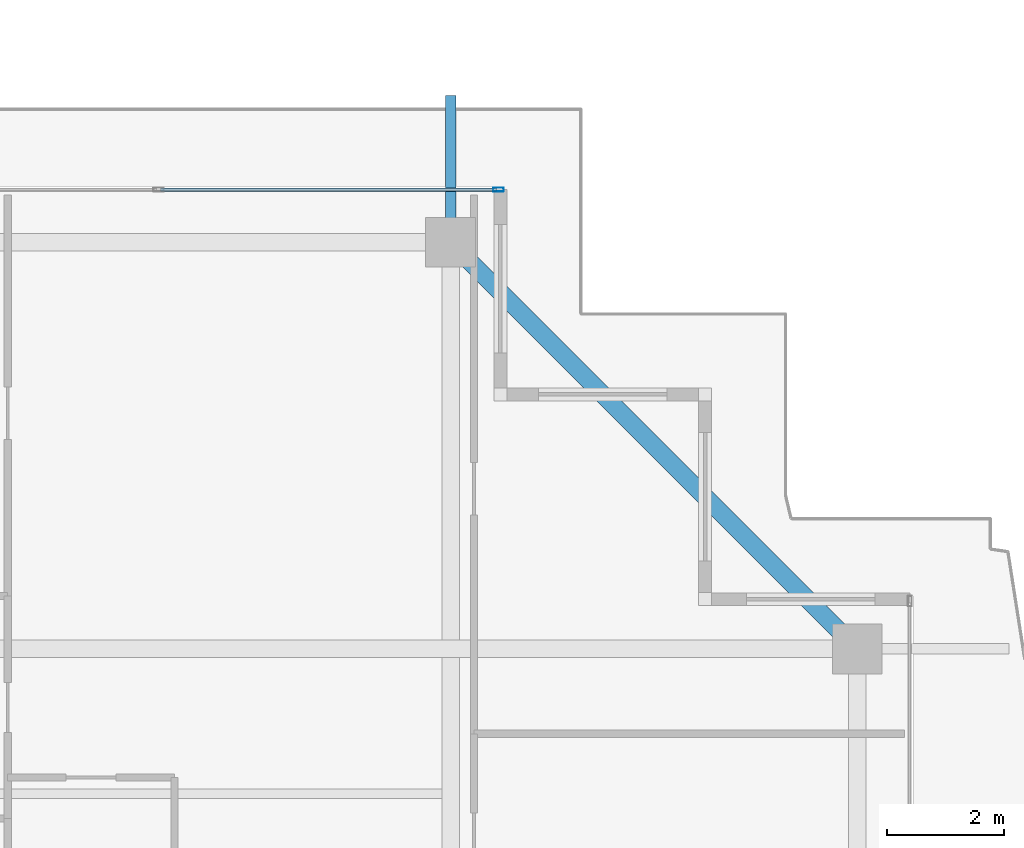
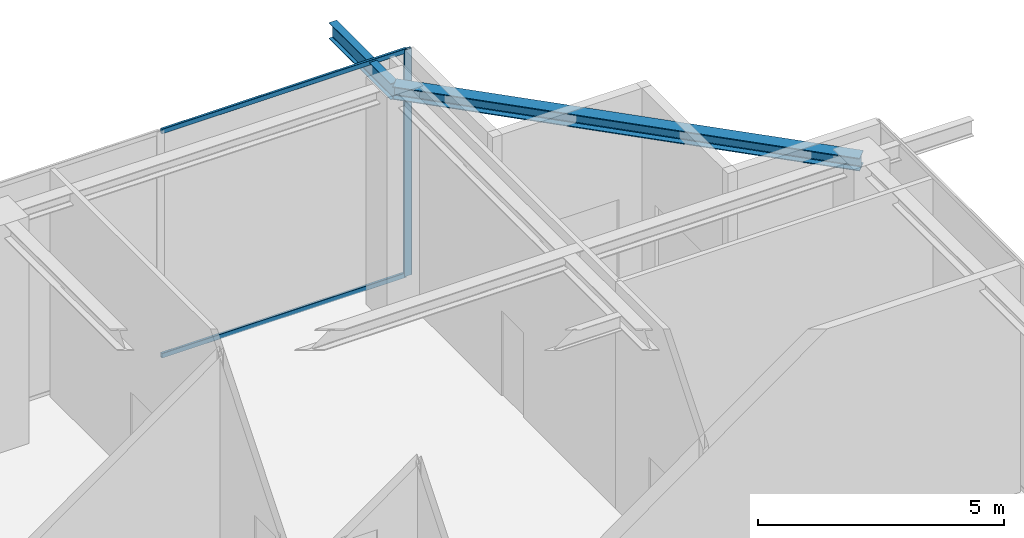
# One storey, part 25 of 38: 3 members, 2 beams, 1 element without a shape of its own.
"""IFC4 building model written with IfcOpenShell, lengths in metres."""

from ifc_helpers import new_model, si_unit, direction, frame, origin, origin_2d, place, context, subcontext, project, spatial, hollow_rectangle, i_section, extrude, source, transform, mapped, material, layer, layer_set, material_profile, profile_set, type_object, element, aggregate, save


model = new_model("IFC4")

# Units and contexts
model_context = context("Model", 3, precision=1e-05, world=origin(), true_north=direction((0.0, 1.0)))
body_context = subcontext(model_context, "Body", "Model", "MODEL_VIEW")
ifc_project = project(units=[si_unit("LENGTHUNIT", "METRE"), si_unit("AREAUNIT", "SQUARE_METRE"), si_unit("VOLUMEUNIT", "CUBIC_METRE"), si_unit("PLANEANGLEUNIT", "RADIAN"), si_unit("MASSUNIT", "GRAM", prefix="KILO")], contexts=[model_context])

# Site, building, storey
site_placement = place(None, origin())
site = spatial("IfcSite", under=ifc_project, at=site_placement, CompositionType="ELEMENT")
building_placement = place(site_placement, origin())
building = spatial("IfcBuilding", under=site, at=building_placement, Name="Serunith Strait Residences", CompositionType="ELEMENT")
storey_placement = place(building_placement, frame((0.0, 0.0, 342.050048828125)))
storey = spatial("IfcBuildingStorey", under=building, at=storey_placement, Name="L85", CompositionType="ELEMENT", Elevation=342.050048828125)

# Beams
ifc_material_1 = material(Name="Steel S355J2", Category="steel")
ifc_material_profile_1 = material_profile(ifc_material_1, i_section(OverallWidth=0.300048828125, OverallDepth=0.320068359375, WebThickness=0.011474609375, FlangeThickness=0.0205078125, FilletRadius=0.027099609375, at=origin_2d()), Name="HEB 320")
ifc_profile_set_1 = profile_set([ifc_material_profile_1], Name="Steel S355J2")
beam_type_1 = type_object("IfcBeamType", Name="BM-HEB320", PredefinedType="BEAM", material=ifc_profile_set_1)
shared_shape_1 = source(origin(), body_context, "Body", "SweptSolid", [
    extrude(i_section(OverallWidth=0.300048828125, OverallDepth=0.320068359375, WebThickness=0.011474609375, FlangeThickness=0.0205078125, FilletRadius=0.027099609375, at=origin_2d()), origin(), (0.0, 0.0, 1.0), 9.828857421875),
])
beam_1_placement = place(storey_placement, frame((53.10009765625, 38.550048828125, 5.447021484375), z_axis=(-0.707119200622, 0.707094361533, 0.0), x_axis=(-0.707094361533, -0.707119200622, 0.0)))
element("IfcBeam", 1, at=beam_1_placement, inside=storey, type_object=beam_type_1, Name="L85 Perimeter Ring Beam 08", PredefinedType="BEAM", context=body_context, shape_type="MappedRepresentation", body=[
    mapped(shared_shape_1, transform((0.0, 0.0, 0.0), scale=1.0)),
])
ifc_material_profile_2 = material_profile(ifc_material_1, i_section(OverallWidth=0.179931640625, OverallDepth=0.39990234375, WebThickness=0.008544921875, FlangeThickness=0.013427734375, FilletRadius=0.02099609375, at=origin_2d()), Name="IPE 400")
ifc_profile_set_2 = profile_set([ifc_material_profile_2], Name="Steel S355J2")
beam_type_2 = type_object("IfcBeamType", Name="BM-IPE400", PredefinedType="JOIST", material=ifc_profile_set_2)
shared_shape_2 = source(origin(), body_context, "Body", "SweptSolid", [
    extrude(i_section(OverallWidth=0.179931640625, OverallDepth=0.39990234375, WebThickness=0.008544921875, FlangeThickness=0.013427734375, FilletRadius=0.02099609375, at=origin_2d()), origin(), (0.0, 0.0, 1.0), 2.511962890625),
])
beam_2_placement = place(storey_placement, frame((46.14990234375, 45.5, 5.406982421875), z_axis=(0.0, 1.0, 0.0), x_axis=(-1.0, 0.0, 0.0)))
element("IfcBeam", 2, at=beam_2_placement, inside=storey, type_object=beam_type_2, Name="L86 Cantilevered Balcony Rib TC-N4", PredefinedType="JOIST", context=body_context, shape_type="MappedRepresentation", body=[
    mapped(shared_shape_2, transform((0.0, 0.0, 0.0), scale=1.0)),
])

# Curtain wall, members
ifc_material_2 = material(Name="Brushed Stainless-Silver Aluminium", Category="aluminium")
ifc_layer = layer(ifc_material_2, 0.199951171875, Name="Brushed Stainless-Silver Aluminium")
ifc_layer_set = layer_set([ifc_layer], Name="Brushed Stainless-Silver Aluminium")
curtain_wall_type = type_object("IfcCurtainWallType", Name="CW-SYS5", PredefinedType="NOTDEFINED", material=ifc_layer_set)
curtain_wall_placement = place(storey_placement, origin())
curtain_wall = element("IfcCurtainWall", 3, at=curtain_wall_placement, inside=storey, type_object=curtain_wall_type, Name="L85 N Unitised Fritted Curtain Wall", PredefinedType="NOTDEFINED")
ifc_material_profile_3 = material_profile(ifc_material_2, hollow_rectangle(XDim=0.06005859375, YDim=0.1201171875, WallThickness=0.00341796875, InnerFilletRadius=0.00537109375, OuterFilletRadius=0.0087890625, at=origin_2d()), Name="ALU 120x60x3.5")
ifc_profile_set_3 = profile_set([ifc_material_profile_3], Name="Brushed Stainless-Silver Aluminium")
member_type_1 = type_object("IfcMemberType", Name="CW-SYS5-TRAN", PredefinedType="USERDEFINED", material=ifc_profile_set_3)
shared_shape_3 = source(origin(), body_context, "Body", "SweptSolid", [
    extrude(hollow_rectangle(XDim=0.06005859375, YDim=0.1201171875, WallThickness=0.00341796875, InnerFilletRadius=0.00537109375, OuterFilletRadius=0.0087890625, at=origin_2d()), origin(), (0.0, 0.0, 1.0), 5.74267578125),
])
member_1_placement = place(storey_placement, frame((46.93505859375, 46.39990234375, 0.030029296875), z_axis=(-1.0, 0.0, 0.0), x_axis=(0.0, -1.0, 0.0)))
member_1 = element("IfcMember", 4, at=member_1_placement, type_object=member_type_1, Name="CW-5 transom 1.1", ObjectType="TRANSOM", PredefinedType="USERDEFINED", context=body_context, shape_type="MappedRepresentation", body=[
    mapped(shared_shape_3, transform((0.0, 0.0, 0.0), scale=1.0)),
])
member_2_placement = place(storey_placement, frame((46.93505859375, 46.39990234375, 5.594970703125), z_axis=(-1.0, 0.0, 0.0), x_axis=(0.0, -1.0, 0.0)))
member_2 = element("IfcMember", 5, at=member_2_placement, type_object=member_type_1, Name="CW-5 transom 1.2", ObjectType="TRANSOM", PredefinedType="USERDEFINED", context=body_context, shape_type="MappedRepresentation", body=[
    mapped(shared_shape_3, transform((0.0, 0.0, 0.0), scale=1.0)),
])
ifc_material_profile_4 = material_profile(ifc_material_2, hollow_rectangle(XDim=0.06494140625, YDim=0.179931640625, WallThickness=0.00341796875, InnerFilletRadius=0.00537109375, OuterFilletRadius=0.0087890625, at=origin_2d()), Name="ALU 180x65x3.5")
ifc_profile_set_4 = profile_set([ifc_material_profile_4], Name="Brushed Stainless-Silver Aluminium")
member_type_2 = type_object("IfcMemberType", Name="CW-SYS5-MULL", PredefinedType="MULLION", material=ifc_profile_set_4)
shared_shape_4 = source(origin(), body_context, "Body", "SweptSolid", [
    extrude(hollow_rectangle(XDim=0.06494140625, YDim=0.179931640625, WallThickness=0.00341796875, InnerFilletRadius=0.00537109375, OuterFilletRadius=0.0087890625, at=origin_2d()), origin(), (0.0, 0.0, 1.0), 5.625),
])
member_3_placement = place(storey_placement, frame((46.967529296875, 46.39990234375, 0.0), z_axis=(0.0, 0.0, 1.0), x_axis=(0.0, -1.0, 0.0)))
member_3 = element("IfcMember", 6, at=member_3_placement, type_object=member_type_2, Name="CW-5 mullion 1", PredefinedType="MULLION", context=body_context, shape_type="MappedRepresentation", body=[
    mapped(shared_shape_4, transform((0.0, 0.0, 0.0), scale=1.0)),
])
aggregate(curtain_wall, [member_3, member_1, member_2])

save(model, "model.ifc")
